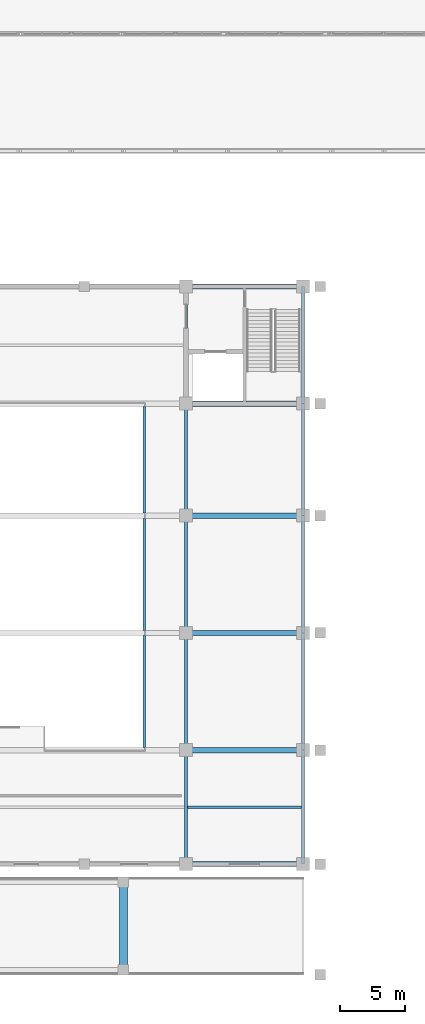
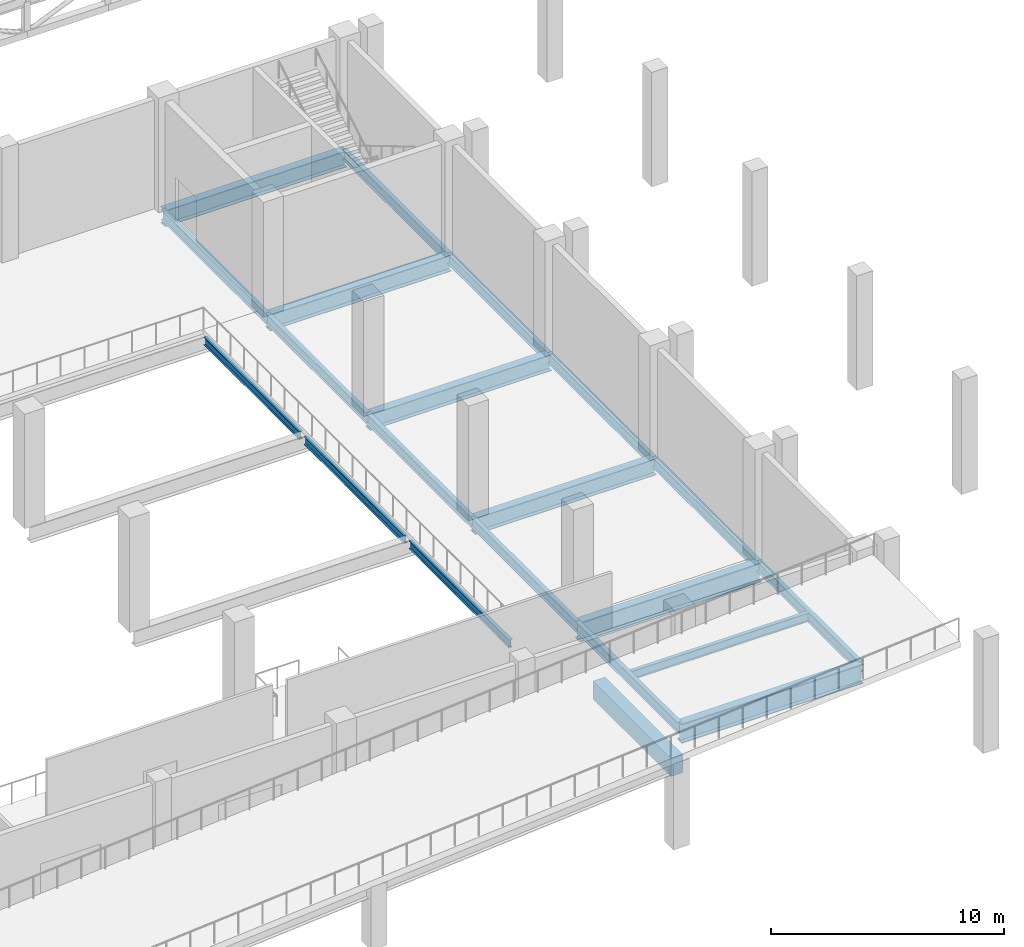
# One storey, part 71 of 159: 21 beams.
"""IFC4 building model written with IfcOpenShell, lengths in metres."""

from ifc_helpers import new_model, si_unit, direction, frame, origin, origin_2d, place, context, subcontext, project, spatial, rectangle, i_section, extrude, material, material_profile, profile_set, type_object, element, save


model = new_model("IFC4")

# Units and contexts
model_context = context("Model", 3, precision=1e-05, world=origin(), true_north=direction((0.0, 1.0)))
body_context = subcontext(model_context, "Body", "Model", "MODEL_VIEW")
ifc_project = project(units=[si_unit("LENGTHUNIT", "METRE"), si_unit("AREAUNIT", "SQUARE_METRE"), si_unit("VOLUMEUNIT", "CUBIC_METRE"), si_unit("PLANEANGLEUNIT", "RADIAN"), si_unit("MASSUNIT", "GRAM", prefix="KILO")], contexts=[model_context])

# Site, building, storey
site_placement = place(None, origin())
site = spatial("IfcSite", under=ifc_project, at=site_placement, CompositionType="ELEMENT")
building_placement = place(site_placement, origin())
building = spatial("IfcBuilding", under=site, at=building_placement, Name="Cazmaro Siding Exhibition Halls", CompositionType="ELEMENT")
storey_placement = place(building_placement, frame((0.0, 0.0, 6.0)))
storey = spatial("IfcBuildingStorey", under=building, at=storey_placement, Name="L01", CompositionType="ELEMENT", Elevation=6.0)

# Beams
ifc_material_1 = material(Name="Steel ASTM A992 Grade 50", Category="steel")
ifc_material_profile_1 = material_profile(ifc_material_1, i_section(OverallWidth=0.214111328125, OverallDepth=0.549072265625, WebThickness=0.014892578125, FlangeThickness=0.02392578125, at=origin_2d()), Name="W21X93")
ifc_profile_set_1 = profile_set([ifc_material_profile_1], Name="Steel ASTM A992 Grade 50")
beam_type_1 = type_object("IfcBeamType", Name="B-01", PredefinedType="BEAM", material=ifc_profile_set_1)
beam_1_placement = place(storey_placement, frame((196.800048828125, 9.25, -0.52392578125), z_axis=(0.0, 1.0, 0.0), x_axis=(-1.0, 0.0, 0.0)))
element("IfcBeam", 1, at=beam_1_placement, inside=storey, type_object=beam_type_1, Name="Beam B-01 BM-1290", PredefinedType="BEAM", context=body_context, shape_type="SweptSolid", body=[
    extrude(i_section(OverallWidth=0.214111328125, OverallDepth=0.549072265625, WebThickness=0.014892578125, FlangeThickness=0.02392578125, at=origin_2d()), origin(), (0.0, 0.0, 1.0), 8.75),
])
beam_2_placement = place(storey_placement, frame((196.800048828125, 44.60009765625, -0.52392578125), z_axis=(0.0, 1.0, 0.0), x_axis=(-1.0, 0.0, 0.0)))
element("IfcBeam", 2, at=beam_2_placement, inside=storey, type_object=beam_type_1, Name="Beam B-01 BM-1291", PredefinedType="BEAM", context=body_context, shape_type="SweptSolid", body=[
    extrude(i_section(OverallWidth=0.214111328125, OverallDepth=0.549072265625, WebThickness=0.014892578125, FlangeThickness=0.02392578125, at=origin_2d()), origin(), (0.0, 0.0, 1.0), 9.0),
])
beam_3_placement = place(storey_placement, frame((205.800048828125, 9.25, -0.52392578125), z_axis=(0.0, 1.0, 0.0), x_axis=(-1.0, 0.0, 0.0)))
element("IfcBeam", 3, at=beam_3_placement, inside=storey, type_object=beam_type_1, Name="Beam B-01 BM-1292", PredefinedType="BEAM", context=body_context, shape_type="SweptSolid", body=[
    extrude(i_section(OverallWidth=0.214111328125, OverallDepth=0.549072265625, WebThickness=0.014892578125, FlangeThickness=0.02392578125, at=origin_2d()), origin(), (0.0, 0.0, 1.0), 8.75),
])
for number, where, z_axis, x_axis, name in (
    (4, (205.800048828125, 44.60009765625, -0.52392578125), (0.0, 1.0, 0.0), (-1.0, 0.0, 0.0), "Beam B-01 BM-1293"),
    (5, (196.800048828125, 18.0, -0.52392578125), (0.0, 1.0, 0.0), (-1.0, 0.0, 0.0), "Beam B-01 BM-1299"),
    (6, (205.800048828125, 18.0, -0.52392578125), (0.0, 1.0, 0.0), (-1.0, 0.0, 0.0), "Beam B-01 BM-1300"),
    (7, (196.800048828125, 27.0, -0.52392578125), (0.0, 1.0, 0.0), (-1.0, 0.0, 0.0), "Beam B-01 BM-1302"),
    (8, (205.800048828125, 27.0, -0.52392578125), (0.0, 1.0, 0.0), (-1.0, 0.0, 0.0), "Beam B-01 BM-1303"),
):
    element("IfcBeam", number, at=place(storey_placement, frame(where, z_axis=z_axis, x_axis=x_axis)), inside=storey, type_object=beam_type_1, Name=name, PredefinedType="BEAM", context=body_context, shape_type="SweptSolid", body=[
        extrude(i_section(OverallWidth=0.214111328125, OverallDepth=0.549072265625, WebThickness=0.014892578125, FlangeThickness=0.02392578125, at=origin_2d()), origin(), (0.0, 0.0, 1.0), 9.0),
    ])
for number, where, z_axis, x_axis, name in (
    (9, (196.800048828125, 36.0, -0.52392578125), (0.0, 1.0, 0.0), (-1.0, 0.0, 0.0), "Beam B-01 BM-1305"),
    (10, (205.800048828125, 36.0, -0.52392578125), (0.0, 1.0, 0.0), (-1.0, 0.0, 0.0), "Beam B-01 BM-1306"),
):
    element("IfcBeam", number, at=place(storey_placement, frame(where, z_axis=z_axis, x_axis=x_axis)), inside=storey, type_object=beam_type_1, Name=name, PredefinedType="BEAM", context=body_context, shape_type="SweptSolid", body=[
        extrude(i_section(OverallWidth=0.214111328125, OverallDepth=0.549072265625, WebThickness=0.014892578125, FlangeThickness=0.02392578125, at=origin_2d()), origin(), (0.0, 0.0, 1.0), 8.60009765625),
    ])
ifc_material_2 = material(Name="Steel ASTM A992 Grade 50", Category="steel")
ifc_material_profile_2 = material_profile(ifc_material_2, i_section(OverallWidth=0.404052734375, OverallDepth=1.02099609375, WebThickness=0.02490234375, FlangeThickness=0.0458984375, at=origin_2d()), Name="W40X324")
ifc_profile_set_2 = profile_set([ifc_material_profile_2], Name="Steel ASTM A992 Grade 50")
beam_type_2 = type_object("IfcBeamType", Name="G-06", PredefinedType="USERDEFINED", material=ifc_profile_set_2)
for number, where, z_axis, x_axis, name in (
    (11, (196.800048828125, 9.25, -0.760986328125), (1.0, 0.0, 0.0), (0.0, 1.0, 0.0), "Beam G-06 BM-1271"),
    (12, (196.800048828125, 18.0, -0.760986328125), (1.0, 0.0, 0.0), (0.0, 1.0, 0.0), "Beam G-06 BM-1272"),
):
    element("IfcBeam", number, at=place(storey_placement, frame(where, z_axis=z_axis, x_axis=x_axis)), inside=storey, type_object=beam_type_2, Name=name, ObjectType="GIRDER", PredefinedType="USERDEFINED", context=body_context, shape_type="SweptSolid", body=[
        extrude(i_section(OverallWidth=0.404052734375, OverallDepth=1.02099609375, WebThickness=0.02490234375, FlangeThickness=0.0458984375, at=origin_2d()), origin(), (0.0, 0.0, 1.0), 9.0),
    ])
ifc_material_3 = material(Name="Steel ASTM A992 Grade 50", Category="steel")
ifc_material_profile_3 = material_profile(ifc_material_3, i_section(OverallWidth=0.40087890625, OverallDepth=0.85595703125, WebThickness=0.01806640625, FlangeThickness=0.029052734375, at=origin_2d()), Name="W33X201")
ifc_profile_set_3 = profile_set([ifc_material_profile_3], Name="Steel ASTM A992 Grade 50")
beam_type_3 = type_object("IfcBeamType", Name="G-09", PredefinedType="USERDEFINED", material=ifc_profile_set_3)
for number, where, z_axis, x_axis, name in (
    (13, (196.800048828125, 44.60009765625, -0.677978515625), (1.0, 0.0, 0.0), (0.0, 1.0, 0.0), "Beam G-09 BM-1274"),
    (14, (196.800048828125, 53.60009765625, -0.677978515625), (1.0, 0.0, 0.0), (0.0, 1.0, 0.0), "Beam G-09 BM-1275"),
    (15, (196.800048828125, 27.0, -0.677978515625), (1.0, 0.0, 0.0), (0.0, 1.0, 0.0), "Beam G-09 BM-1295"),
    (16, (196.800048828125, 36.0, -0.677978515625), (1.0, 0.0, 0.0), (0.0, 1.0, 0.0), "Beam G-09 BM-1297"),
):
    element("IfcBeam", number, at=place(storey_placement, frame(where, z_axis=z_axis, x_axis=x_axis)), inside=storey, type_object=beam_type_3, Name=name, ObjectType="GIRDER", PredefinedType="USERDEFINED", context=body_context, shape_type="SweptSolid", body=[
        extrude(i_section(OverallWidth=0.40087890625, OverallDepth=0.85595703125, WebThickness=0.01806640625, FlangeThickness=0.029052734375, at=origin_2d()), origin(), (0.0, 0.0, 1.0), 9.0),
    ])
ifc_material_4 = material(Name="Concrete f'c 45 MPa", Category="concrete")
ifc_material_profile_4 = material_profile(ifc_material_4, rectangle(XDim=0.60009765625, YDim=0.949951171875, at=origin_2d()), Name="RC950X600")
ifc_profile_set_4 = profile_set([ifc_material_profile_4], Name="Concrete f'c 45 MPa")
beam_type_4 = type_object("IfcBeamType", Name="G-11", PredefinedType="USERDEFINED", material=ifc_profile_set_4)
beam_4_placement = place(storey_placement, frame((192.0, 1.14990234375, 4.047119140625), z_axis=(0.0, 1.0, 0.0), x_axis=(-1.0, 0.0, 0.0)))
element("IfcBeam", 17, at=beam_4_placement, inside=storey, type_object=beam_type_4, Name="Truck viaduct pier cap beam G-11 BM-2456", ObjectType="GIRDER", PredefinedType="USERDEFINED", context=body_context, shape_type="SweptSolid", body=[
    extrude(rectangle(XDim=0.60009765625, YDim=0.949951171875, at=origin_2d()), origin(), (0.0, 0.0, 1.0), 6.7001953125),
])
ifc_material_5 = material(Name="Steel ASTM A992 Grade 50", Category="steel")
ifc_material_profile_5 = material_profile(ifc_material_5, i_section(OverallWidth=0.19091796875, OverallDepth=0.45703125, WebThickness=0.009033203125, FlangeThickness=0.013916015625, at=origin_2d()), Name="W18X50")
ifc_profile_set_5 = profile_set([ifc_material_profile_5], Name="Steel ASTM A992 Grade 50")
beam_type_5 = type_object("IfcBeamType", Name="J-01", PredefinedType="JOIST", material=ifc_profile_set_5)
beam_5_placement = place(storey_placement, frame((196.906982421875, 13.625, -0.47900390625), z_axis=(1.0, 0.0, 0.0), x_axis=(0.0, 1.0, 0.0)))
element("IfcBeam", 18, at=beam_5_placement, inside=storey, type_object=beam_type_5, Name="Beam J-01 BM-1273", PredefinedType="JOIST", context=body_context, shape_type="SweptSolid", body=[
    extrude(i_section(OverallWidth=0.19091796875, OverallDepth=0.45703125, WebThickness=0.009033203125, FlangeThickness=0.013916015625, at=origin_2d()), origin(), (0.0, 0.0, 1.0), 8.7861328125),
])
ifc_material_6 = material(Name="Steel ASTM A992 Grade 50", Category="steel")
ifc_material_profile_6 = material_profile(ifc_material_6, i_section(OverallWidth=0.180908203125, OverallDepth=0.4169921875, WebThickness=0.010986328125, FlangeThickness=0.01806640625, at=origin_2d()), Name="W16X57")
ifc_profile_set_6 = profile_set([ifc_material_profile_6], Name="Steel ASTM A992 Grade 50")
beam_type_6 = type_object("IfcBeamType", Name="J-03", PredefinedType="JOIST", material=ifc_profile_set_6)
beam_6_placement = place(storey_placement, frame((193.60009765625, 18.201904296875, -0.4580078125), z_axis=(0.0, 1.0, 0.0), x_axis=(-1.0, 0.0, 0.0)))
element("IfcBeam", 19, at=beam_6_placement, inside=storey, type_object=beam_type_6, Name="Beam J-03 BM-1298", PredefinedType="JOIST", context=body_context, shape_type="SweptSolid", body=[
    extrude(i_section(OverallWidth=0.180908203125, OverallDepth=0.4169921875, WebThickness=0.010986328125, FlangeThickness=0.01806640625, at=origin_2d()), origin(), (0.0, 0.0, 1.0), 8.59716796875),
])
beam_7_placement = place(storey_placement, frame((193.60009765625, 27.200927734375, -0.4580078125), z_axis=(0.0, 1.0, 0.0), x_axis=(-1.0, 0.0, 0.0)))
element("IfcBeam", 20, at=beam_7_placement, inside=storey, type_object=beam_type_6, Name="Beam J-03 BM-1301", PredefinedType="JOIST", context=body_context, shape_type="SweptSolid", body=[
    extrude(i_section(OverallWidth=0.180908203125, OverallDepth=0.4169921875, WebThickness=0.010986328125, FlangeThickness=0.01806640625, at=origin_2d()), origin(), (0.0, 0.0, 1.0), 8.59814453125),
])
beam_8_placement = place(storey_placement, frame((193.60009765625, 36.200927734375, -0.4580078125), z_axis=(0.0, 1.0, 0.0), x_axis=(-1.0, 0.0, 0.0)))
element("IfcBeam", 21, at=beam_8_placement, inside=storey, type_object=beam_type_6, Name="Beam J-03 BM-1304", PredefinedType="JOIST", context=body_context, shape_type="SweptSolid", body=[
    extrude(i_section(OverallWidth=0.180908203125, OverallDepth=0.4169921875, WebThickness=0.010986328125, FlangeThickness=0.01806640625, at=origin_2d()), origin(), (0.0, 0.0, 1.0), 8.197998046875),
])

save(model, "model.ifc")
